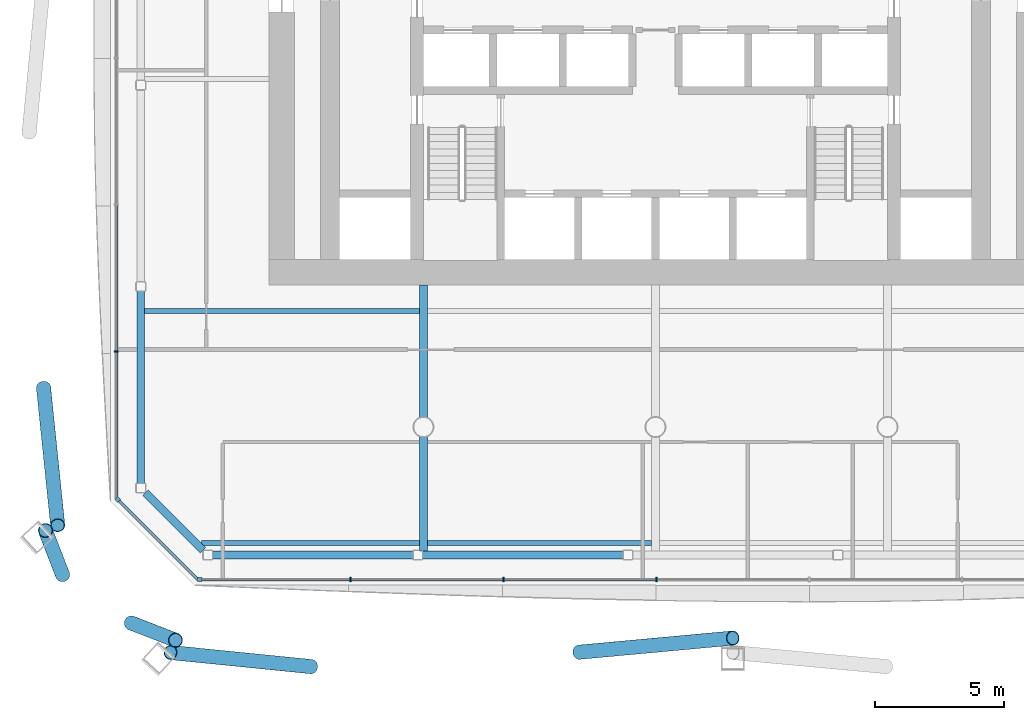
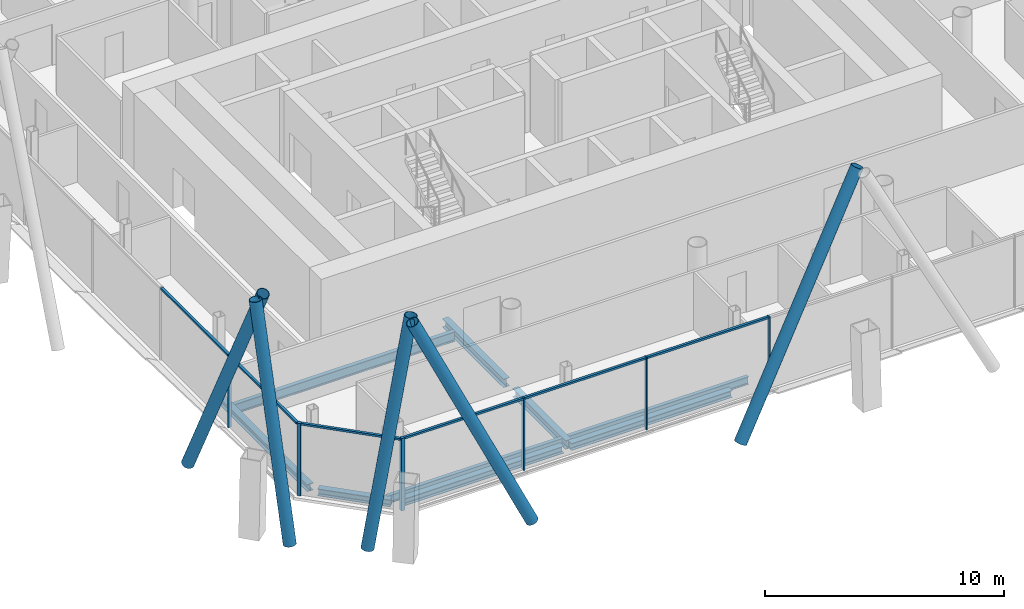
# One storey, part 3 of 22: 17 members, 9 beams, 3 elements without a shape of their own.
"""IFC4 building model written with IfcOpenShell, lengths in metres."""

from ifc_helpers import new_model, si_unit, direction, frame, origin, origin_2d, place, context, subcontext, project, spatial, rectangle, hollow_circle, i_section, extrude, material, material_profile, profile_set, type_object, element, aggregate, save


model = new_model("IFC4")

# Units and contexts
model_context = context("Model", 3, precision=1e-05, world=origin(), true_north=direction((0.0, 1.0)))
body_context = subcontext(model_context, "Body", "Model", "MODEL_VIEW")
ifc_project = project(units=[si_unit("LENGTHUNIT", "METRE"), si_unit("AREAUNIT", "SQUARE_METRE"), si_unit("VOLUMEUNIT", "CUBIC_METRE"), si_unit("PLANEANGLEUNIT", "RADIAN"), si_unit("MASSUNIT", "GRAM", prefix="KILO")], contexts=[model_context])

# Site, building, storey
site_placement = place(None, origin())
site = spatial("IfcSite", under=ifc_project, at=site_placement, CompositionType="ELEMENT")
building_placement = place(site_placement, origin())
building = spatial("IfcBuilding", under=site, at=building_placement, Name="Tskaro Facet Tower", CompositionType="ELEMENT")
storey_placement = place(building_placement, frame((0.0, 0.0, 97.199951171875)))
storey = spatial("IfcBuildingStorey", under=building, at=storey_placement, Name="L23", CompositionType="ELEMENT", Elevation=97.199951171875)

# Members
ifc_material_1 = material(Name="Steel S355J2H", Category="steel")
ifc_material_profile_1 = material_profile(ifc_material_1, hollow_circle(Radius=0.279541015625, WallThickness=0.02490234375, at=origin_2d()), Name="CHS 559x25")
ifc_profile_set_1 = profile_set([ifc_material_profile_1], Name="Steel S355J2H")
member_type_1 = type_object("IfcMemberType", Name="CHS 559x25 brace", PredefinedType="BRACE", material=ifc_profile_set_1)
member_1_placement = place(storey_placement, frame((-2.9541015625, -26.735595703125, 0.0), z_axis=(0.453152917497, 0.041714298006, 0.89045625985), x_axis=(-0.091665907054, 0.995789817925, 0.0)))
element("IfcMember", 1, at=member_1_placement, inside=storey, type_object=member_type_1, Name="CHS 559x25 XB01A/2", PredefinedType="BRACE", context=body_context, shape_type="SweptSolid", body=[
    extrude(hollow_circle(Radius=0.279541015625, WallThickness=0.02490234375, at=origin_2d()), origin(), (0.0, 0.0, 1.0), 13.13916015625),
])
member_2_placement = place(storey_placement, frame((-13.361328125, -27.29443359375, 0.0), z_axis=(-0.422100605989, 0.042402800602, 0.905556779515), x_axis=(-0.099953544788, -0.994992104936, 0.0)))
element("IfcMember", 2, at=member_2_placement, inside=storey, type_object=member_type_1, Name="CHS 559x25 XB01B/2", PredefinedType="BRACE", context=body_context, shape_type="SweptSolid", body=[
    extrude(hollow_circle(Radius=0.279541015625, WallThickness=0.02490234375, at=origin_2d()), origin(), (0.0, 0.0, 1.0), 12.920166015625),
])
member_3_placement = place(storey_placement, frame((-23.735595703125, -16.480712890625, 0.0), z_axis=(0.042586261107, -0.414462012885, 0.909069661929), x_axis=(0.994762582076, 0.102212549625, 0.0)))
element("IfcMember", 3, at=member_3_placement, inside=storey, type_object=member_type_1, Name="CHS 559x25 XB11A/2", PredefinedType="BRACE", context=body_context, shape_type="SweptSolid", body=[
    extrude(hollow_circle(Radius=0.279541015625, WallThickness=0.02490234375, at=origin_2d()), origin(), (0.0, 0.0, 1.0), 12.870361328125),
])
for number, where, z_axis, x_axis, name in (
    (4, (-20.328369140625, -25.606689453125, 0.0), (0.144468997442, -0.055948752719, 0.987926336245), (0.361135953136, 0.932513175967, 0.0), "CHS 559x25 XB12A/2"),
    (5, (-23.001953125, -23.7236328125, 0.0), (-0.055948752719, 0.144468997442, 0.987926336245), (-0.932513175967, -0.361135953136, 0.0), "CHS 559x25 XB12B/2"),
):
    element("IfcMember", number, at=place(storey_placement, frame(where, z_axis=z_axis, x_axis=x_axis)), inside=storey, type_object=member_type_1, Name=name, PredefinedType="BRACE", context=body_context, shape_type="SweptSolid", body=[
        extrude(hollow_circle(Radius=0.279541015625, WallThickness=0.02490234375, at=origin_2d()), origin(), (0.0, 0.0, 1.0), 11.843017578125),
    ])

# Curtain wall, member
ifc_material_2 = material(Name="Bronze anodised aluminium 6063-T6", Category="aluminium")
curtain_wall_type = type_object("IfcCurtainWallType", Name="Bronze office curtain wall (FW1)", PredefinedType="NOTDEFINED", material=ifc_material_2)
curtain_wall_1_placement = place(storey_placement, origin())
curtain_wall_1 = element("IfcCurtainWall", 6, at=curtain_wall_1_placement, inside=storey, type_object=curtain_wall_type, Name="FW1 south facet L23", PredefinedType="NOTDEFINED")
ifc_material_profile_2 = material_profile(ifc_material_2, rectangle(XDim=0.159912109375, YDim=0.159912109375, at=origin_2d()), Name="Corner post 160x160")
ifc_profile_set_2 = profile_set([ifc_material_profile_2], Name="Bronze anodised aluminium 6063-T6")
member_type_2 = type_object("IfcMemberType", Name="FW1 bronze corner post 160x160", PredefinedType="MULLION", material=ifc_profile_set_2)
member_4_placement = place(storey_placement, frame((-17.677001953125, -23.9150390625, 0.0), z_axis=(0.0, 0.0, 1.0), x_axis=(1.0, 0.0, 0.0)))
member_4 = element("IfcMember", 7, at=member_4_placement, type_object=member_type_2, Name="FW1 south corner post", PredefinedType="MULLION", context=body_context, shape_type="SweptSolid", body=[
    extrude(rectangle(XDim=0.159912109375, YDim=0.159912109375, at=origin_2d()), origin(), (0.0, 0.0, 1.0), 3.699951171875),
])

curtain_wall_2_placement = place(storey_placement, origin())
curtain_wall_2 = element("IfcCurtainWall", 8, at=curtain_wall_2_placement, inside=storey, type_object=curtain_wall_type, Name="FW1 south-west facet L23", PredefinedType="NOTDEFINED")
member_5_placement = place(storey_placement, frame((-20.8583984375, -20.8134765625, 0.0), z_axis=(0.0, 0.0, 1.0), x_axis=(0.707106781187, -0.707106781187, 0.0)))
member_5 = element("IfcMember", 9, at=member_5_placement, type_object=member_type_2, Name="FW1 south-west corner post", PredefinedType="MULLION", context=body_context, shape_type="SweptSolid", body=[
    extrude(rectangle(XDim=0.159912109375, YDim=0.159912109375, at=origin_2d()), origin(), (0.0, 0.0, 1.0), 3.699951171875),
])

# Member
ifc_material_profile_3 = material_profile(ifc_material_2, rectangle(XDim=0.06005859375, YDim=0.159912109375, at=origin_2d()), Name="Mullion 60x160")
ifc_profile_set_3 = profile_set([ifc_material_profile_3], Name="Bronze anodised aluminium 6063-T6")
member_type_3 = type_object("IfcMemberType", Name="FW1 bronze mullion 60x160", PredefinedType="MULLION", material=ifc_profile_set_3)
member_6_placement = place(storey_placement, frame((-11.826416015625, -23.9150390625, 0.0), z_axis=(0.0, 0.0, 1.0), x_axis=(1.0, 0.0, 0.0)))
member_6 = element("IfcMember", 10, at=member_6_placement, type_object=member_type_3, Name="FW1 south mullion 1", PredefinedType="MULLION", context=body_context, shape_type="SweptSolid", body=[
    extrude(rectangle(XDim=0.06005859375, YDim=0.159912109375, at=origin_2d()), origin(), (0.0, 0.0, 1.0), 3.699951171875),
])

member_7_placement = place(storey_placement, frame((-5.895751953125, -23.9150390625, 0.0), z_axis=(0.0, 0.0, 1.0), x_axis=(1.0, 0.0, 0.0)))
member_7 = element("IfcMember", 11, at=member_7_placement, type_object=member_type_3, Name="FW1 south mullion 2", PredefinedType="MULLION", context=body_context, shape_type="SweptSolid", body=[
    extrude(rectangle(XDim=0.06005859375, YDim=0.159912109375, at=origin_2d()), origin(), (0.0, 0.0, 1.0), 3.699951171875),
])

member_8_placement = place(storey_placement, frame((0.03466796875, -23.9150390625, 0.0), z_axis=(0.0, 0.0, 1.0), x_axis=(1.0, 0.0, 0.0)))
member_8 = element("IfcMember", 12, at=member_8_placement, type_object=member_type_3, Name="FW1 south mullion 3", PredefinedType="MULLION", context=body_context, shape_type="SweptSolid", body=[
    extrude(rectangle(XDim=0.06005859375, YDim=0.159912109375, at=origin_2d()), origin(), (0.0, 0.0, 1.0), 3.699951171875),
])

# Curtain wall, member
curtain_wall_3_placement = place(storey_placement, origin())
curtain_wall_3 = element("IfcCurtainWall", 13, at=curtain_wall_3_placement, inside=storey, type_object=curtain_wall_type, Name="FW1 west facet L23", PredefinedType="NOTDEFINED")
member_9_placement = place(storey_placement, frame((-20.9150390625, -15.065673828125, 0.0), z_axis=(0.0, 0.0, 1.0), x_axis=(0.0, -1.0, 0.0)))
member_9 = element("IfcMember", 14, at=member_9_placement, type_object=member_type_3, Name="FW1 west mullion 6", PredefinedType="MULLION", context=body_context, shape_type="SweptSolid", body=[
    extrude(rectangle(XDim=0.06005859375, YDim=0.159912109375, at=origin_2d()), origin(), (0.0, 0.0, 1.0), 3.699951171875),
])

# Member
ifc_material_profile_4 = material_profile(ifc_material_2, rectangle(XDim=0.1201171875, YDim=0.10009765625, at=origin_2d()), Name="Transom 120x100")
ifc_profile_set_4 = profile_set([ifc_material_profile_4], Name="Bronze anodised aluminium 6063-T6")
member_type_4 = type_object("IfcMemberType", Name="FW1 bronze transom 120x100", PredefinedType="USERDEFINED", material=ifc_profile_set_4)
member_10_placement = place(storey_placement, frame((-17.596923828125, -23.9150390625, 3.650146484375), z_axis=(1.0, 0.0, 0.0), x_axis=(0.0, 1.0, 0.0)))
member_10 = element("IfcMember", 15, at=member_10_placement, type_object=member_type_4, Name="FW1 south transom 1.1", ObjectType="TRANSOM", PredefinedType="USERDEFINED", context=body_context, shape_type="SweptSolid", body=[
    extrude(rectangle(XDim=0.1201171875, YDim=0.10009765625, at=origin_2d()), origin(), (0.0, 0.0, 1.0), 5.740478515625),
])

member_11_placement = place(storey_placement, frame((-11.79638671875, -23.9150390625, 3.650146484375), z_axis=(1.0, 0.0, 0.0), x_axis=(0.0, 1.0, 0.0)))
member_11 = element("IfcMember", 16, at=member_11_placement, type_object=member_type_4, Name="FW1 south transom 2.1", ObjectType="TRANSOM", PredefinedType="USERDEFINED", context=body_context, shape_type="SweptSolid", body=[
    extrude(rectangle(XDim=0.1201171875, YDim=0.10009765625, at=origin_2d()), origin(), (0.0, 0.0, 1.0), 5.87060546875),
])

member_12_placement = place(storey_placement, frame((-5.865966796875, -23.9150390625, 3.650146484375), z_axis=(1.0, 0.0, 0.0), x_axis=(0.0, 1.0, 0.0)))
member_12 = element("IfcMember", 17, at=member_12_placement, type_object=member_type_4, Name="FW1 south transom 3.1", ObjectType="TRANSOM", PredefinedType="USERDEFINED", context=body_context, shape_type="SweptSolid", body=[
    extrude(rectangle(XDim=0.1201171875, YDim=0.10009765625, at=origin_2d()), origin(), (0.0, 0.0, 1.0), 5.87060546875),
])

aggregate(curtain_wall_1, [member_4, member_6, member_7, member_8, member_10, member_11, member_12])

member_13_placement = place(storey_placement, frame((-20.9150390625, -9.404052734375, 3.650146484375), z_axis=(0.0, -1.0, 0.0), x_axis=(1.0, 0.0, 0.0)))
member_13 = element("IfcMember", 18, at=member_13_placement, type_object=member_type_4, Name="FW1 west transom 6.1", ObjectType="TRANSOM", PredefinedType="USERDEFINED", context=body_context, shape_type="SweptSolid", body=[
    extrude(rectangle(XDim=0.1201171875, YDim=0.10009765625, at=origin_2d()), origin(), (0.0, 0.0, 1.0), 5.631591796875),
])

member_14_placement = place(storey_placement, frame((-20.9150390625, -15.095458984375, 3.650146484375), z_axis=(0.0, -1.0, 0.0), x_axis=(1.0, 0.0, 0.0)))
member_14 = element("IfcMember", 19, at=member_14_placement, type_object=member_type_4, Name="FW1 west transom 7.1", ObjectType="TRANSOM", PredefinedType="USERDEFINED", context=body_context, shape_type="SweptSolid", body=[
    extrude(rectangle(XDim=0.1201171875, YDim=0.10009765625, at=origin_2d()), origin(), (0.0, 0.0, 1.0), 5.66162109375),
])

aggregate(curtain_wall_3, [member_9, member_13, member_14])

member_15_placement = place(storey_placement, frame((-20.8017578125, -20.8701171875, 3.650146484375), z_axis=(0.707078431712, -0.707135129525, 0.0), x_axis=(0.707135129525, 0.707078431712, 0.0)))
member_15 = element("IfcMember", 20, at=member_15_placement, type_object=member_type_4, Name="FW1 south-west transom 1.1", ObjectType="TRANSOM", PredefinedType="USERDEFINED", context=body_context, shape_type="SweptSolid", body=[
    extrude(rectangle(XDim=0.1201171875, YDim=0.10009765625, at=origin_2d()), origin(), (0.0, 0.0, 1.0), 4.305908203125),
])

aggregate(curtain_wall_2, [member_5, member_15])

# Beams
ifc_material_3 = material(Name="Steel S355J2", Category="steel")
ifc_material_profile_5 = material_profile(ifc_material_3, i_section(OverallWidth=0.300048828125, OverallDepth=0.360107421875, WebThickness=0.012451171875, FlangeThickness=0.0224609375, FilletRadius=0.027099609375, at=origin_2d()), Name="HE 360 B")
ifc_profile_set_5 = profile_set([ifc_material_profile_5], Name="Steel S355J2")
beam_type_1 = type_object("IfcBeamType", Name="HE 360 B ring beam", PredefinedType="BEAM", material=ifc_profile_set_5)
beam_1_placement = place(storey_placement, frame((-17.18408203125, -22.965087890625, -0.320068359375), z_axis=(1.0, 0.0, 0.0), x_axis=(0.0, 1.0, 0.0)))
element("IfcBeam", 21, at=beam_1_placement, inside=storey, type_object=beam_type_1, Name="HE 360 B EB1-2", PredefinedType="BEAM", context=body_context, shape_type="SweptSolid", body=[
    extrude(i_section(OverallWidth=0.300048828125, OverallDepth=0.360107421875, WebThickness=0.012451171875, FlangeThickness=0.0224609375, FilletRadius=0.027099609375, at=origin_2d()), origin(), (0.0, 0.0, 1.0), 7.7861328125),
])
beam_2_placement = place(storey_placement, frame((-9.0380859375, -22.965087890625, -0.320068359375), z_axis=(1.0, 0.0, 0.0), x_axis=(0.0, 1.0, 0.0)))
element("IfcBeam", 22, at=beam_2_placement, inside=storey, type_object=beam_type_1, Name="HE 360 B EB2-2", PredefinedType="BEAM", context=body_context, shape_type="SweptSolid", body=[
    extrude(i_section(OverallWidth=0.300048828125, OverallDepth=0.360107421875, WebThickness=0.012451171875, FlangeThickness=0.0224609375, FilletRadius=0.027099609375, at=origin_2d()), origin(), (0.0, 0.0, 1.0), 7.78515625),
])
beam_3_placement = place(storey_placement, frame((-19.965087890625, -12.73291015625, -0.320068359375), z_axis=(0.0, -1.0, 0.0), x_axis=(1.0, 0.0, 0.0)))
element("IfcBeam", 23, at=beam_3_placement, inside=storey, type_object=beam_type_1, Name="HE 360 B EB23-2", PredefinedType="BEAM", context=body_context, shape_type="SweptSolid", body=[
    extrude(i_section(OverallWidth=0.300048828125, OverallDepth=0.360107421875, WebThickness=0.012451171875, FlangeThickness=0.0224609375, FilletRadius=0.027099609375, at=origin_2d()), origin(), (0.0, 0.0, 1.0), 7.451171875),
])
beam_4_placement = place(storey_placement, frame((-19.779052734375, -20.5498046875, -0.320068359375), z_axis=(0.707106781187, -0.707106781187, 0.0), x_axis=(0.707106781187, 0.707106781187, 0.0)))
element("IfcBeam", 24, at=beam_4_placement, inside=storey, type_object=beam_type_1, Name="HE 360 B EB24-2", PredefinedType="BEAM", context=body_context, shape_type="SweptSolid", body=[
    extrude(i_section(OverallWidth=0.300048828125, OverallDepth=0.360107421875, WebThickness=0.012451171875, FlangeThickness=0.0224609375, FilletRadius=0.027099609375, at=origin_2d()), origin(), (0.0, 0.0, 1.0), 3.152587890625),
])
ifc_material_profile_6 = material_profile(ifc_material_3, i_section(OverallWidth=0.300048828125, OverallDepth=0.43994140625, WebThickness=0.011474609375, FlangeThickness=0.02099609375, FilletRadius=0.027099609375, at=origin_2d()), Name="HE 450 A")
ifc_profile_set_6 = profile_set([ifc_material_profile_6], Name="Steel S355J2")
beam_type_2 = type_object("IfcBeamType", Name="HE 450 A girder", PredefinedType="BEAM", material=ifc_profile_set_6)
beam_5_placement = place(storey_placement, frame((-9.0, -22.81494140625, -0.35986328125), z_axis=(0.0, 1.0, 0.0), x_axis=(-1.0, 0.0, 0.0)))
element("IfcBeam", 25, at=beam_5_placement, inside=storey, type_object=beam_type_2, Name="HE 450 A GB3-1-2", PredefinedType="BEAM", context=body_context, shape_type="SweptSolid", body=[
    extrude(i_section(OverallWidth=0.300048828125, OverallDepth=0.43994140625, WebThickness=0.011474609375, FlangeThickness=0.02099609375, FilletRadius=0.027099609375, at=origin_2d()), origin(), (0.0, 0.0, 1.0), 4.4384765625),
])
beam_6_placement = place(storey_placement, frame((-9.0, -17.62353515625, -0.35986328125), z_axis=(0.0, 1.0, 0.0), x_axis=(-1.0, 0.0, 0.0)))
element("IfcBeam", 26, at=beam_6_placement, inside=storey, type_object=beam_type_2, Name="HE 450 A GB3-2-2", PredefinedType="BEAM", context=body_context, shape_type="SweptSolid", body=[
    extrude(i_section(OverallWidth=0.300048828125, OverallDepth=0.43994140625, WebThickness=0.011474609375, FlangeThickness=0.02099609375, FilletRadius=0.027099609375, at=origin_2d()), origin(), (0.0, 0.0, 1.0), 5.12353515625),
])
ifc_material_profile_7 = material_profile(ifc_material_3, i_section(OverallWidth=0.179931640625, OverallDepth=0.39990234375, WebThickness=0.008544921875, FlangeThickness=0.013427734375, FilletRadius=0.02099609375, at=origin_2d()), Name="IPE 400")
ifc_profile_set_7 = profile_set([ifc_material_profile_7], Name="Steel S355J2")
beam_type_3 = type_object("IfcBeamType", Name="IPE 400 secondary beam", PredefinedType="BEAM", material=ifc_profile_set_7)
beam_7_placement = place(storey_placement, frame((-17.616943359375, -22.5, -0.33984375), z_axis=(1.0, 0.0, 0.0), x_axis=(0.0, 1.0, 0.0)))
element("IfcBeam", 27, at=beam_7_placement, inside=storey, type_object=beam_type_3, Name="IPE 400 SB1a-1-2", PredefinedType="BEAM", context=body_context, shape_type="SweptSolid", body=[
    extrude(i_section(OverallWidth=0.179931640625, OverallDepth=0.39990234375, WebThickness=0.008544921875, FlangeThickness=0.013427734375, FilletRadius=0.02099609375, at=origin_2d()), origin(), (0.0, 0.0, 1.0), 8.467041015625),
])
beam_8_placement = place(storey_placement, frame((-8.85009765625, -22.5, -0.33984375), z_axis=(1.0, 0.0, 0.0), x_axis=(0.0, 1.0, 0.0)))
element("IfcBeam", 28, at=beam_8_placement, inside=storey, type_object=beam_type_3, Name="IPE 400 SB1a-2-2", PredefinedType="BEAM", context=body_context, shape_type="SweptSolid", body=[
    extrude(i_section(OverallWidth=0.179931640625, OverallDepth=0.39990234375, WebThickness=0.008544921875, FlangeThickness=0.013427734375, FilletRadius=0.02099609375, at=origin_2d()), origin(), (0.0, 0.0, 1.0), 8.7001953125),
])
ifc_material_profile_8 = material_profile(ifc_material_3, i_section(OverallWidth=0.199951171875, OverallDepth=0.5, WebThickness=0.01025390625, FlangeThickness=0.01611328125, FilletRadius=0.02099609375, at=origin_2d()), Name="IPE 500")
ifc_profile_set_8 = profile_set([ifc_material_profile_8], Name="Steel S355J2")
beam_type_4 = type_object("IfcBeamType", Name="IPE 500 long secondary beam", PredefinedType="BEAM", material=ifc_profile_set_8)
beam_9_placement = place(storey_placement, frame((-19.81494140625, -13.5, -0.389892578125), z_axis=(1.0, 0.0, 0.0), x_axis=(0.0, 1.0, 0.0)))
element("IfcBeam", 29, at=beam_9_placement, inside=storey, type_object=beam_type_4, Name="IPE 500 LSB2a-1-2", PredefinedType="BEAM", context=body_context, shape_type="SweptSolid", body=[
    extrude(i_section(OverallWidth=0.199951171875, OverallDepth=0.5, WebThickness=0.01025390625, FlangeThickness=0.01611328125, FilletRadius=0.02099609375, at=origin_2d()), origin(), (0.0, 0.0, 1.0), 10.6650390625),
])

save(model, "model.ifc")
